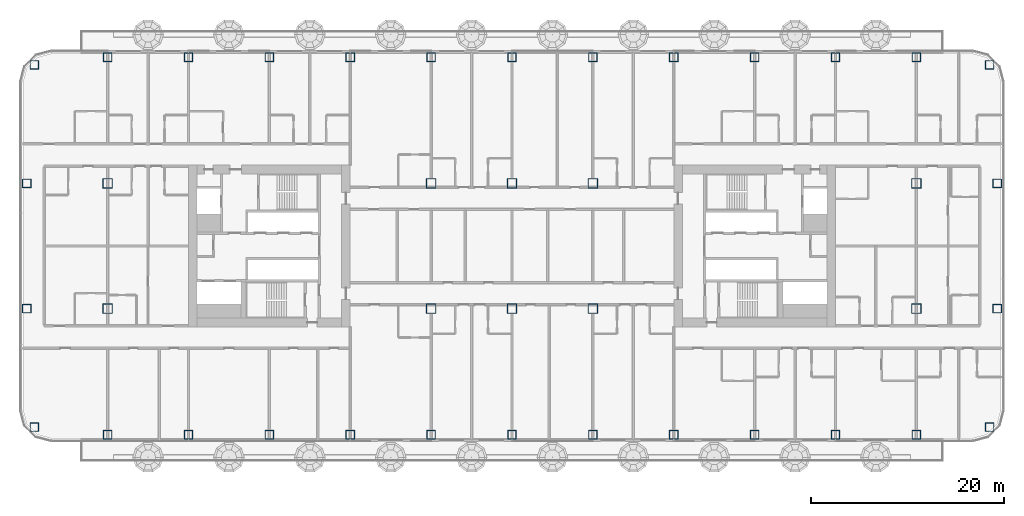
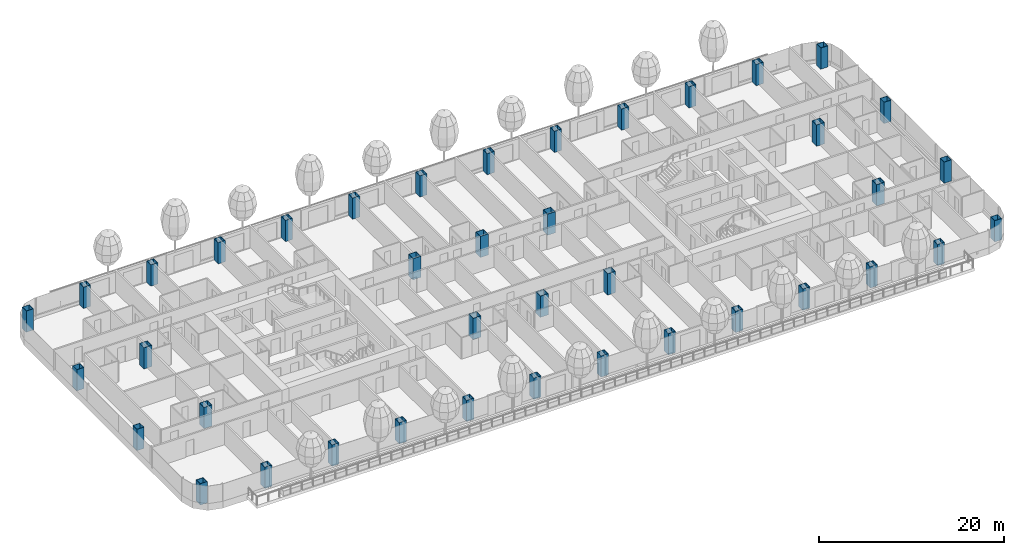
# One storey, part 1 of 36: 40 columns.
"""IFC4 building model written with IfcOpenShell, lengths in metres."""

from ifc_helpers import new_model, si_unit, direction, frame, origin, origin_2d, place, context, subcontext, project, spatial, hollow_rectangle, extrude, material, material_profile, profile_set, type_object, element, save


model = new_model("IFC4")

# Units and contexts
model_context = context("Model", 3, precision=1e-05, world=origin(), true_north=direction((0.0, 1.0)))
body_context = subcontext(model_context, "Body", "Model", "MODEL_VIEW")
ifc_project = project(units=[si_unit("LENGTHUNIT", "METRE"), si_unit("AREAUNIT", "SQUARE_METRE"), si_unit("VOLUMEUNIT", "CUBIC_METRE"), si_unit("PLANEANGLEUNIT", "RADIAN"), si_unit("MASSUNIT", "GRAM", prefix="KILO")], contexts=[model_context])

# Site, building, storey
site_placement = place(None, origin())
site = spatial("IfcSite", under=ifc_project, at=site_placement, CompositionType="ELEMENT")
building_placement = place(site_placement, origin())
building = spatial("IfcBuilding", under=site, at=building_placement, Name="Hakoniwa Tower and Hamabe Station Hall", CompositionType="ELEMENT")
storey_placement = place(building_placement, frame((0.0, 0.0, 26.199951171875)))
storey = spatial("IfcBuildingStorey", under=building, at=storey_placement, Name="L06", CompositionType="ELEMENT", Elevation=26.199951171875)

# Columns
ifc_material_1 = material(Name="Steel SN490C", Category="steel")
ifc_material_profile_1 = material_profile(ifc_material_1, hollow_rectangle(XDim=1.0, YDim=1.0, WallThickness=0.0400390625, at=origin_2d()), Name="BX-1000x1000x40")
ifc_profile_set_1 = profile_set([ifc_material_profile_1], Name="Steel SN490C")
column_type_1 = type_object("IfcColumnType", Name="COLUMN BX-1000x1000x40", PredefinedType="COLUMN", material=ifc_profile_set_1)
for number, where, z_axis, x_axis, name in (
    (1, (-42.0, -6.5, 0.0), (0.0, 0.0, 1.0), (1.0, 0.0, 0.0), "Column B1-2-C1"),
    (2, (-42.0, 6.5, 0.0), (0.0, 0.0, 1.0), (1.0, 0.0, 0.0), "Column B1-2-E1"),
    (3, (-8.39990234375, -6.5, 0.0), (0.0, 0.0, 1.0), (1.0, 0.0, 0.0), "Column B1-6-C1"),
    (4, (-8.39990234375, 6.5, 0.0), (0.0, 0.0, 1.0), (1.0, 0.0, 0.0), "Column B1-6-E1"),
    (5, (0.0, -6.5, 0.0), (0.0, 0.0, 1.0), (1.0, 0.0, 0.0), "Column B1-7-C1"),
    (6, (0.0, 6.5, 0.0), (0.0, 0.0, 1.0), (1.0, 0.0, 0.0), "Column B1-7-E1"),
    (7, (8.39990234375, -6.5, 0.0), (0.0, 0.0, 1.0), (1.0, 0.0, 0.0), "Column B1-8-C1"),
    (8, (8.39990234375, 6.5, 0.0), (0.0, 0.0, 1.0), (1.0, 0.0, 0.0), "Column B1-8-E1"),
    (9, (42.0, -6.5, 0.0), (0.0, 0.0, 1.0), (1.0, 0.0, 0.0), "Column B1-12-C1"),
    (10, (42.0, 6.5, 0.0), (0.0, 0.0, 1.0), (1.0, 0.0, 0.0), "Column B1-12-E1"),
):
    element("IfcColumn", number, at=place(storey_placement, frame(where, z_axis=z_axis, x_axis=x_axis)), inside=storey, type_object=column_type_1, Name=name, PredefinedType="COLUMN", context=body_context, shape_type="SweptSolid", body=[
        extrude(hollow_rectangle(XDim=1.0, YDim=1.0, WallThickness=0.0400390625, at=origin_2d()), origin(), (0.0, 0.0, 1.0), 2.800048828125),
    ])
ifc_material_2 = material(Name="Steel SN490C", Category="steel")
ifc_material_profile_2 = material_profile(ifc_material_2, hollow_rectangle(XDim=0.89990234375, YDim=0.89990234375, WallThickness=0.035888671875, at=origin_2d()), Name="BX-900x900x36")
ifc_profile_set_2 = profile_set([ifc_material_profile_2], Name="Steel SN490C")
column_type_2 = type_object("IfcColumnType", Name="COLUMN BX-900x900x36", PredefinedType="COLUMN", material=ifc_profile_set_2)
for number, where, z_axis, x_axis, name in (
    (11, (-49.60302734375, -18.802978515625, 0.0), (0.0, 0.0, 1.0), (1.0, 0.0, 0.0), "Column B1-1-A1"),
    (12, (-50.39990234375, -6.5, 0.0), (0.0, 0.0, 1.0), (1.0, 0.0, 0.0), "Column B1-1-C1"),
    (13, (-50.39990234375, 6.5, 0.0), (0.0, 0.0, 1.0), (1.0, 0.0, 0.0), "Column B1-1-E1"),
    (14, (-49.60302734375, 18.802978515625, 0.0), (0.0, 0.0, 1.0), (1.0, 0.0, 0.0), "Column B1-1-G1"),
    (15, (-42.0, -19.60009765625, 0.0), (0.0, 0.0, 1.0), (1.0, 0.0, 0.0), "Column B1-2-A1"),
    (16, (-42.0, 19.60009765625, 0.0), (0.0, 0.0, 1.0), (1.0, 0.0, 0.0), "Column B1-2-G1"),
    (17, (-33.60009765625, -19.60009765625, 0.0), (0.0, 0.0, 1.0), (1.0, 0.0, 0.0), "Column B1-3-A1"),
    (18, (-33.60009765625, 19.60009765625, 0.0), (0.0, 0.0, 1.0), (1.0, 0.0, 0.0), "Column B1-3-G1"),
    (19, (-25.199951171875, -19.60009765625, 0.0), (0.0, 0.0, 1.0), (1.0, 0.0, 0.0), "Column B1-4-A1"),
    (20, (-25.199951171875, 19.60009765625, 0.0), (0.0, 0.0, 1.0), (1.0, 0.0, 0.0), "Column B1-4-G1"),
    (21, (-16.800048828125, -19.60009765625, 0.0), (0.0, 0.0, 1.0), (1.0, 0.0, 0.0), "Column B1-5-A1"),
    (22, (-16.800048828125, 19.60009765625, 0.0), (0.0, 0.0, 1.0), (1.0, 0.0, 0.0), "Column B1-5-G1"),
    (23, (-8.39990234375, -19.60009765625, 0.0), (0.0, 0.0, 1.0), (1.0, 0.0, 0.0), "Column B1-6-A1"),
    (24, (-8.39990234375, 19.60009765625, 0.0), (0.0, 0.0, 1.0), (1.0, 0.0, 0.0), "Column B1-6-G1"),
    (25, (0.0, -19.60009765625, 0.0), (0.0, 0.0, 1.0), (1.0, 0.0, 0.0), "Column B1-7-A1"),
    (26, (0.0, 19.60009765625, 0.0), (0.0, 0.0, 1.0), (1.0, 0.0, 0.0), "Column B1-7-G1"),
    (27, (8.39990234375, -19.60009765625, 0.0), (0.0, 0.0, 1.0), (1.0, 0.0, 0.0), "Column B1-8-A1"),
    (28, (8.39990234375, 19.60009765625, 0.0), (0.0, 0.0, 1.0), (1.0, 0.0, 0.0), "Column B1-8-G1"),
    (29, (16.800048828125, -19.60009765625, 0.0), (0.0, 0.0, 1.0), (1.0, 0.0, 0.0), "Column B1-9-A1"),
    (30, (16.800048828125, 19.60009765625, 0.0), (0.0, 0.0, 1.0), (1.0, 0.0, 0.0), "Column B1-9-G1"),
    (31, (25.199951171875, -19.60009765625, 0.0), (0.0, 0.0, 1.0), (1.0, 0.0, 0.0), "Column B1-10-A1"),
    (32, (25.199951171875, 19.60009765625, 0.0), (0.0, 0.0, 1.0), (1.0, 0.0, 0.0), "Column B1-10-G1"),
    (33, (33.60009765625, -19.60009765625, 0.0), (0.0, 0.0, 1.0), (1.0, 0.0, 0.0), "Column B1-11-A1"),
    (34, (33.60009765625, 19.60009765625, 0.0), (0.0, 0.0, 1.0), (1.0, 0.0, 0.0), "Column B1-11-G1"),
    (35, (42.0, -19.60009765625, 0.0), (0.0, 0.0, 1.0), (1.0, 0.0, 0.0), "Column B1-12-A1"),
    (36, (42.0, 19.60009765625, 0.0), (0.0, 0.0, 1.0), (1.0, 0.0, 0.0), "Column B1-12-G1"),
    (37, (49.60302734375, -18.802978515625, 0.0), (0.0, 0.0, 1.0), (1.0, 0.0, 0.0), "Column B1-13-A1"),
    (38, (50.39990234375, -6.5, 0.0), (0.0, 0.0, 1.0), (1.0, 0.0, 0.0), "Column B1-13-C1"),
    (39, (50.39990234375, 6.5, 0.0), (0.0, 0.0, 1.0), (1.0, 0.0, 0.0), "Column B1-13-E1"),
    (40, (49.60302734375, 18.802978515625, 0.0), (0.0, 0.0, 1.0), (1.0, 0.0, 0.0), "Column B1-13-G1"),
):
    element("IfcColumn", number, at=place(storey_placement, frame(where, z_axis=z_axis, x_axis=x_axis)), inside=storey, type_object=column_type_2, Name=name, PredefinedType="COLUMN", context=body_context, shape_type="SweptSolid", body=[
        extrude(hollow_rectangle(XDim=0.89990234375, YDim=0.89990234375, WallThickness=0.035888671875, at=origin_2d()), origin(), (0.0, 0.0, 1.0), 2.800048828125),
    ])

save(model, "model.ifc")
